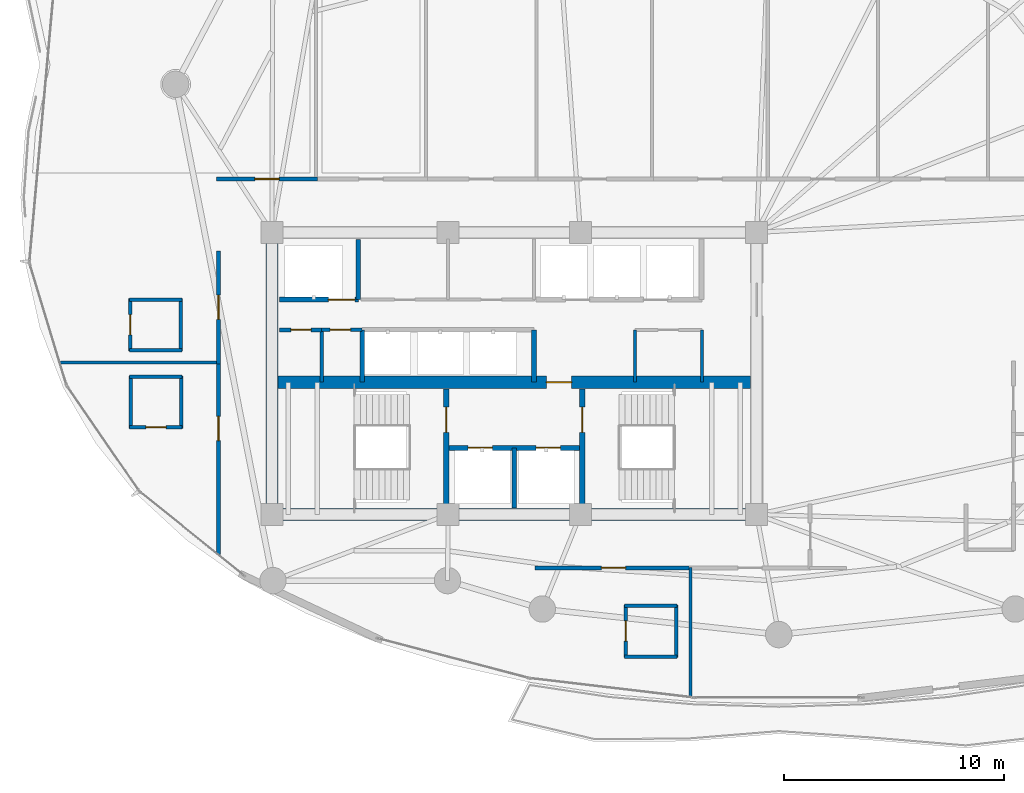
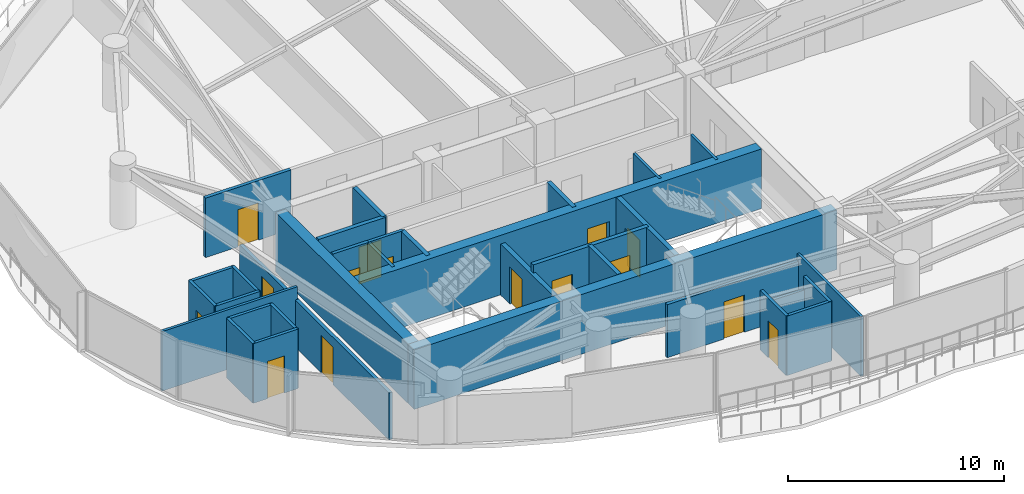
# One storey, part 26 of 33: 34 walls, 15 doors, 15 openings.
"""IFC4 building model written with IfcOpenShell, lengths in metres."""

from ifc_helpers import new_model, si_unit, direction, frame, frame_2d, origin, place, context, subcontext, project, spatial, rectangle, extrude, material, layer, layer_set, type_object, element, fill, save


model = new_model("IFC4")

# Units and contexts
model_context = context("Model", 3, precision=1e-05, world=origin(), true_north=direction((0.0, 1.0)))
body_context = subcontext(model_context, "Body", "Model", "MODEL_VIEW")
ifc_project = project(units=[si_unit("LENGTHUNIT", "METRE"), si_unit("AREAUNIT", "SQUARE_METRE"), si_unit("VOLUMEUNIT", "CUBIC_METRE"), si_unit("PLANEANGLEUNIT", "RADIAN"), si_unit("MASSUNIT", "GRAM", prefix="KILO")], contexts=[model_context])

# Site, building, storey
site_placement = place(None, origin())
site = spatial("IfcSite", under=ifc_project, at=site_placement, CompositionType="ELEMENT")
building_placement = place(site_placement, origin())
building = spatial("IfcBuilding", under=site, at=building_placement, Name="Kazevale Care Tower and Concert Hall", CompositionType="ELEMENT")
storey_placement = place(building_placement, frame((0.0, 0.0, 149.39990234375)))
storey = spatial("IfcBuildingStorey", under=building, at=storey_placement, Name="L39", CompositionType="ELEMENT", Elevation=149.39990234375)

# Walls
ifc_material_1 = material(Name="Acoustic Gypsum on Steel Stud", Category="steel")
ifc_layer_1 = layer(ifc_material_1, 0.139892578125)
ifc_layer_set_1 = layer_set([ifc_layer_1], Name="Acoustic Gypsum on Steel Stud")
wall_type_1 = type_object("IfcWallType", Name="Acoustic Care & Suite Partition 140", PredefinedType="PARTITIONING", material=ifc_layer_set_1)
for number, where, z_axis, x_axis, name in (
    (1, (38.47998046875, 29.6201171875, 0.0), (0.0, 0.0, 1.0), (0.0, 1.0, 0.0), "wall:L39:kb_ew"),
    (2, (41.52001953125, 29.6201171875, 0.0), (0.0, 0.0, 1.0), (0.0, 1.0, 0.0), "wall:L39:kb_ee"),
):
    element("IfcWall", number, at=place(storey_placement, frame(where, z_axis=z_axis, x_axis=x_axis)), inside=storey, type_object=wall_type_1, Name=name, PredefinedType="PARTITIONING", context=body_context, shape_type="SweptSolid", body=[
        extrude(rectangle(XDim=2.35986328125, YDim=0.139892578125, at=frame_2d((1.179931640625, 0.0))), origin(), (0.0, 0.0, 1.0), 3.360107421875),
    ])
wall_1_placement = place(storey_placement, frame((41.0, 21.205078125, 0.0), z_axis=(0.0, 0.0, 1.0), x_axis=(0.0, -1.0, 0.0)))
element("IfcWall", 3, at=wall_1_placement, inside=storey, type_object=wall_type_1, Name="wall:L39:auto_029", PredefinedType="PARTITIONING", context=body_context, shape_type="SweptSolid", body=[
    extrude(rectangle(XDim=5.88720703125, YDim=0.139892578125, at=frame_2d((2.943603515625, 0.0))), origin(), (0.0, 0.0, 1.0), 3.360107421875),
])
wall_2_placement = place(storey_placement, frame((12.380859375, 30.5, 0.0), z_axis=(0.0, 0.0, 1.0), x_axis=(1.0, 0.0, 0.0)))
element("IfcWall", 4, at=wall_2_placement, inside=storey, type_object=wall_type_1, Name="wall:L39:auto_030", PredefinedType="PARTITIONING", context=body_context, shape_type="SweptSolid", body=[
    extrude(rectangle(XDim=7.22412109375, YDim=0.139892578125, at=frame_2d((3.612060546875, 0.0))), origin(), (0.0, 0.0, 1.0), 3.360107421875),
])
ifc_material_2 = material(Name="Concrete C60", Category="concrete")
ifc_layer_2 = layer(ifc_material_2, 0.550048828125)
ifc_layer_set_2 = layer_set([ifc_layer_2], Name="Concrete C60")
wall_type_2 = type_object("IfcWallType", Name="Core Shear Wall 550 C60", PredefinedType="SHEAR", material=ifc_layer_set_2)
wall_3_placement = place(storey_placement, frame((21.72509765625, 23.60009765625, 0.0), z_axis=(0.0, 0.0, 1.0), x_axis=(1.0, 0.0, 0.0)))
element("IfcWall", 5, at=wall_3_placement, inside=storey, type_object=wall_type_2, Name="wall:L39:core:S", PredefinedType="SHEAR", context=body_context, shape_type="SweptSolid", body=[
    extrude(rectangle(XDim=22.5498046875, YDim=0.550048828125, at=frame_2d((11.27490234375, 0.0))), origin(), (0.0, 0.0, 1.0), 3.360107421875),
])
wall_4_placement = place(storey_placement, frame((22.0, 23.875, 0.0), z_axis=(0.0, 0.0, 1.0), x_axis=(0.0, 1.0, 0.0)))
element("IfcWall", 6, at=wall_4_placement, inside=storey, type_object=wall_type_2, Name="wall:L39:core:W", PredefinedType="SHEAR", context=body_context, shape_type="SweptSolid", body=[
    extrude(rectangle(XDim=12.25, YDim=0.550048828125, at=frame_2d((6.125, 0.0))), origin(), (0.0, 0.0, 1.0), 3.360107421875),
])

# Wall, opening, door
wall_5_placement = place(storey_placement, frame((22.27490234375, 29.60009765625, 0.0), z_axis=(0.0, 0.0, 1.0), x_axis=(1.0, 0.0, 0.0)))
wall_5 = element("IfcWall", 7, at=wall_5_placement, inside=storey, type_object=wall_type_2, Name="wall:L39:core:M", PredefinedType="SHEAR", context=body_context, shape_type="SweptSolid", body=[
    extrude(rectangle(XDim=21.4501953125, YDim=0.550048828125, at=frame_2d((10.72509765625, 0.0))), origin(), (0.0, 0.0, 1.0), 3.360107421875),
])
opening_1_placement = place(wall_5_placement, frame((12.175048828125, 0.0, 0.0)))
opening_1 = element("IfcOpeningElement", 8, at=opening_1_placement, cuts=wall_5, Name="Opening FD-90", PredefinedType="OPENING", context=body_context, shape_type="SweptSolid", body=[
    extrude(rectangle(XDim=1.14990234375, YDim=2.10009765625, at=frame_2d((0.574951171875, 1.050048828125))), frame((0.0, 0.284912109375, 0.0), z_axis=(0.0, -1.0, 0.0), x_axis=(1.0, 0.0, 0.0)), (0.0, 0.0, 1.0), 0.570068359375),
])
ifc_material_3 = material(Name="Steel ASTM A572 Gr 50", Category="steel")
door_type_1 = type_object("IfcDoorType", Name="Pressurized Stair & Lobby Fire Door 1150x2100", OperationType="NOTDEFINED", PredefinedType="DOOR", material=ifc_material_3)
door_1_placement = place(opening_1_placement, origin())
door_1 = element("IfcDoor", 9, at=door_1_placement, inside=storey, type_object=door_type_1, Name="door:L39:ff_to_pax", OperationType="SINGLE_SWING_LEFT", OverallHeight=2.10009765625, OverallWidth=1.14990234375, PredefinedType="DOOR", context=body_context, shape_type="SweptSolid", body=[
    extrude(rectangle(XDim=1.14990234375, YDim=2.10009765625, at=frame_2d((0.574951171875, 1.050048828125))), frame((0.0, 0.02490234375, 0.0), z_axis=(0.0, -1.0, 0.0), x_axis=(1.0, 0.0, 0.0)), (0.0, 0.0, 1.0), 0.050048828125),
])
fill(opening_1, door_1)

# Wall, openings, doors
ifc_material_4 = material(Name="Concrete C40", Category="concrete")
ifc_layer_3 = layer(ifc_material_4, 0.219970703125)
ifc_layer_set_3 = layer_set([ifc_layer_3], Name="Concrete C40")
wall_type_3 = type_object("IfcWallType", Name="Elevator Hoistway Shaft Wall 220", PredefinedType="SOLIDWALL", material=ifc_layer_set_3)
wall_6_placement = place(storey_placement, frame((29.919921875, 26.6201171875, 0.0), z_axis=(0.0, 0.0, 1.0), x_axis=(1.0, 0.0, 0.0)))
wall_6 = element("IfcWall", 10, at=wall_6_placement, inside=storey, type_object=wall_type_3, Name="wall:L39:c_ffl_n", PredefinedType="SOLIDWALL", context=body_context, shape_type="SweptSolid", body=[
    extrude(rectangle(XDim=6.16015625, YDim=0.219970703125, at=frame_2d((3.080078125, 0.0))), origin(), (0.0, 0.0, 1.0), 3.360107421875),
])
opening_2_placement = place(wall_6_placement, frame((0.989990234375, 0.0, 0.0)))
opening_2 = element("IfcOpeningElement", 11, at=opening_2_placement, cuts=wall_6, Name="Opening LD-FF", PredefinedType="OPENING", context=body_context, shape_type="SweptSolid", body=[
    extrude(rectangle(XDim=1.10009765625, YDim=2.10009765625, at=frame_2d((0.550048828125, 1.050048828125))), frame((0.0, 0.119873046875, 0.0), z_axis=(0.0, -1.0, 0.0), x_axis=(1.0, 0.0, 0.0)), (0.0, 0.0, 1.0), 0.239990234375),
])
opening_3_placement = place(wall_6_placement, frame((4.070068359375, 0.0, 0.0)))
opening_3 = element("IfcOpeningElement", 12, at=opening_3_placement, cuts=wall_6, Name="Opening LD-FF", PredefinedType="OPENING", context=body_context, shape_type="SweptSolid", body=[
    extrude(rectangle(XDim=1.10009765625, YDim=2.10009765625, at=frame_2d((0.550048828125, 1.050048828125))), frame((0.0, 0.119873046875, 0.0), z_axis=(0.0, -1.0, 0.0), x_axis=(1.0, 0.0, 0.0)), (0.0, 0.0, 1.0), 0.239990234375),
])
ifc_material_5 = material(Name="Stainless Steel 316", Category="steel")
door_type_2 = type_object("IfcDoorType", Name="Emergency Lift Sliding Landing Door 1100x2100", OperationType="NOTDEFINED", PredefinedType="DOOR", material=ifc_material_5)
door_2_placement = place(opening_2_placement, origin())
door_2 = element("IfcDoor", 13, at=door_2_placement, inside=storey, type_object=door_type_2, Name="door:L39:ld_ffl1", OperationType="SLIDING_TO_LEFT", OverallHeight=2.10009765625, OverallWidth=1.10009765625, PredefinedType="DOOR", context=body_context, shape_type="SweptSolid", body=[
    extrude(rectangle(XDim=1.10009765625, YDim=2.10009765625, at=frame_2d((0.550048828125, 1.050048828125))), frame((0.0, 0.02490234375, 0.0), z_axis=(0.0, -1.0, 0.0), x_axis=(1.0, 0.0, 0.0)), (0.0, 0.0, 1.0), 0.050048828125),
])
fill(opening_2, door_2)
door_3_placement = place(opening_3_placement, origin())
door_3 = element("IfcDoor", 14, at=door_3_placement, inside=storey, type_object=door_type_2, Name="door:L39:ld_ffl2", OperationType="SLIDING_TO_RIGHT", OverallHeight=2.10009765625, OverallWidth=1.10009765625, PredefinedType="DOOR", context=body_context, shape_type="SweptSolid", body=[
    extrude(rectangle(XDim=1.10009765625, YDim=2.10009765625, at=frame_2d((0.550048828125, 1.050048828125))), frame((0.0, 0.02490234375, 0.0), z_axis=(0.0, -1.0, 0.0), x_axis=(1.0, 0.0, 0.0)), (0.0, 0.0, 1.0), 0.050048828125),
])
fill(opening_3, door_3)

# Walls
wall_7_placement = place(storey_placement, frame((33.0, 23.89990234375, 0.0), z_axis=(0.0, 0.0, 1.0), x_axis=(0.0, 1.0, 0.0)))
element("IfcWall", 15, at=wall_7_placement, inside=storey, type_object=wall_type_3, Name="wall:L39:c_ffl_m", PredefinedType="SOLIDWALL", context=body_context, shape_type="SweptSolid", body=[
    extrude(rectangle(XDim=2.72021484375, YDim=0.219970703125, at=frame_2d((1.360107421875, 0.0))), origin(), (0.0, 0.0, 1.0), 3.360107421875),
])
wall_8_placement = place(storey_placement, frame((25.919921875, 33.35009765625, 0.0), z_axis=(0.0, 0.0, 1.0), x_axis=(0.0, 1.0, 0.0)))
element("IfcWall", 16, at=wall_8_placement, inside=storey, type_object=wall_type_3, Name="wall:L39:c_svl_e", PredefinedType="SOLIDWALL", context=body_context, shape_type="SweptSolid", body=[
    extrude(rectangle(XDim=2.72998046875, YDim=0.219970703125, at=frame_2d((1.364990234375, 0.0))), origin(), (0.0, 0.0, 1.0), 3.360107421875),
])

# Wall, opening, door
wall_9_placement = place(storey_placement, frame((22.35009765625, 33.35009765625, 0.0), z_axis=(0.0, 0.0, 1.0), x_axis=(1.0, 0.0, 0.0)))
wall_9 = element("IfcWall", 17, at=wall_9_placement, inside=storey, type_object=wall_type_3, Name="wall:L39:c_svl_s", PredefinedType="SOLIDWALL", context=body_context, shape_type="SweptSolid", body=[
    extrude(rectangle(XDim=3.56982421875, YDim=0.219970703125, at=frame_2d((1.784912109375, 0.0))), origin(), (0.0, 0.0, 1.0), 3.360107421875),
])
opening_4_placement = place(wall_9_placement, frame((2.212890625, 0.0, 0.0)))
opening_4 = element("IfcOpeningElement", 18, at=opening_4_placement, cuts=wall_9, Name="Opening LD-SV", PredefinedType="OPENING", context=body_context, shape_type="SweptSolid", body=[
    extrude(rectangle(XDim=1.199951171875, YDim=2.10009765625, at=frame_2d((0.60009765625, 1.050048828125))), frame((0.0, 0.119873046875, 0.0), z_axis=(0.0, -1.0, 0.0), x_axis=(1.0, 0.0, 0.0)), (0.0, 0.0, 1.0), 0.239990234375),
])
door_type_3 = type_object("IfcDoorType", Name="Service Lift Sliding Landing Door 1200x2100", OperationType="NOTDEFINED", PredefinedType="DOOR", material=ifc_material_5)
door_4_placement = place(opening_4_placement, origin())
door_4 = element("IfcDoor", 19, at=door_4_placement, inside=storey, type_object=door_type_3, Name="door:L39:ld_svl1", OperationType="SLIDING_TO_LEFT", OverallHeight=2.10009765625, OverallWidth=1.199951171875, PredefinedType="DOOR", context=body_context, shape_type="SweptSolid", body=[
    extrude(rectangle(XDim=1.199951171875, YDim=2.10009765625, at=frame_2d((0.60009765625, 1.050048828125))), frame((0.0, 0.02490234375, 0.0), z_axis=(0.0, -1.0, 0.0), x_axis=(1.0, 0.0, 0.0)), (0.0, 0.0, 1.0), 0.050048828125),
])
fill(opening_4, door_4)

# Walls
for number, where, z_axis, x_axis, name in (
    (20, (26.10009765625, 29.6201171875, 0.0), (0.0, 0.0, 1.0), (0.0, 1.0, 0.0), "wall:L39:c_ph_w"),
    (21, (33.89990234375, 29.6201171875, 0.0), (0.0, 0.0, 1.0), (0.0, 1.0, 0.0), "wall:L39:c_ph_e"),
):
    element("IfcWall", number, at=place(storey_placement, frame(where, z_axis=z_axis, x_axis=x_axis)), inside=storey, type_object=wall_type_3, Name=name, PredefinedType="SOLIDWALL", context=body_context, shape_type="SweptSolid", body=[
        extrude(rectangle(XDim=2.35986328125, YDim=0.219970703125, at=frame_2d((1.179931640625, 0.0))), origin(), (0.0, 0.0, 1.0), 3.360107421875),
    ])

# Wall, opening, door
ifc_material_6 = material(Name="Concrete C40 and Acoustic Gypsum", Category="concrete")
ifc_layer_4 = layer(ifc_material_6, 0.179931640625)
ifc_layer_set_4 = layer_set([ifc_layer_4], Name="Concrete C40 and Acoustic Gypsum")
wall_type_4 = type_object("IfcWallType", Name="Fire-Rated Corridor & Party Wall 180", PredefinedType="PARTITIONING", material=ifc_layer_set_4)
wall_10_placement = place(storey_placement, frame((22.35009765625, 31.97998046875, 0.0), z_axis=(0.0, 0.0, 1.0), x_axis=(1.0, 0.0, 0.0)))
wall_10 = element("IfcWall", 22, at=wall_10_placement, inside=storey, type_object=wall_type_4, Name="wall:L39:kb_wn0", PredefinedType="PARTITIONING", context=body_context, shape_type="SweptSolid", body=[
    extrude(rectangle(XDim=1.909912109375, YDim=0.179931640625, at=frame_2d((0.955078125, 0.0))), origin(), (0.0, 0.0, 1.0), 3.360107421875),
])
opening_5_placement = place(wall_10_placement, frame((0.514892578125, 0.0, 0.0)))
opening_5 = element("IfcOpeningElement", 23, at=opening_5_placement, cuts=wall_10, Name="Opening ID-900", PredefinedType="OPENING", context=body_context, shape_type="SweptSolid", body=[
    extrude(rectangle(XDim=0.919921875, YDim=2.10009765625, at=frame_2d((0.4599609375, 1.050048828125))), frame((0.0, 0.099853515625, 0.0), z_axis=(0.0, -1.0, 0.0), x_axis=(1.0, 0.0, 0.0)), (0.0, 0.0, 1.0), 0.199951171875),
])
ifc_material_7 = material(Name="Oak Timber Fire Leaf", Category="wood")
door_type_4 = type_object("IfcDoorType", Name="Bathroom & Service Door 920x2100", OperationType="NOTDEFINED", PredefinedType="DOOR", material=ifc_material_7)
door_5_placement = place(opening_5_placement, origin())
door_5 = element("IfcDoor", 24, at=door_5_placement, inside=storey, type_object=door_type_4, Name="door:L39:d_kbw1", OperationType="SINGLE_SWING_LEFT", OverallHeight=2.10009765625, OverallWidth=0.919921875, PredefinedType="DOOR", context=body_context, shape_type="SweptSolid", body=[
    extrude(rectangle(XDim=0.919921875, YDim=2.10009765625, at=frame_2d((0.4599609375, 1.050048828125))), frame((0.0, 0.02490234375, 0.0), z_axis=(0.0, -1.0, 0.0), x_axis=(1.0, 0.0, 0.0)), (0.0, 0.0, 1.0), 0.050048828125),
])
fill(opening_5, door_5)

wall_11_placement = place(storey_placement, frame((19.4951171875, 38.824951171875, 0.0), z_axis=(0.0, 0.0, 1.0), x_axis=(1.0, 0.0, 0.0)))
wall_11 = element("IfcWall", 25, at=wall_11_placement, inside=storey, type_object=wall_type_4, Name="wall:L39:auto_001", PredefinedType="PARTITIONING", context=body_context, shape_type="SweptSolid", body=[
    extrude(rectangle(XDim=4.56982421875, YDim=0.179931640625, at=frame_2d((2.284912109375, 0.0))), origin(), (0.0, 0.0, 1.0), 3.360107421875),
])
opening_6_placement = place(wall_11_placement, frame((1.735107421875, 0.0, 0.0)))
opening_6 = element("IfcOpeningElement", 26, at=opening_6_placement, cuts=wall_11, Name="Opening ID-1100", PredefinedType="OPENING", context=body_context, shape_type="SweptSolid", body=[
    extrude(rectangle(XDim=1.10009765625, YDim=2.10009765625, at=frame_2d((0.550048828125, 1.050048828125))), frame((0.0, 0.099853515625, 0.0), z_axis=(0.0, -1.0, 0.0), x_axis=(1.0, 0.0, 0.0)), (0.0, 0.0, 1.0), 0.199951171875),
])
door_type_5 = type_object("IfcDoorType", Name="Care Bedroom Accessible Door 1100x2100", OperationType="NOTDEFINED", PredefinedType="DOOR", material=ifc_material_7)
door_6_placement = place(opening_6_placement, origin())
door_6 = element("IfcDoor", 27, at=door_6_placement, inside=storey, type_object=door_type_5, Name="door:L39:ad_001", OperationType="SINGLE_SWING_LEFT", OverallHeight=2.10009765625, OverallWidth=1.10009765625, PredefinedType="DOOR", context=body_context, shape_type="SweptSolid", body=[
    extrude(rectangle(XDim=1.10009765625, YDim=2.10009765625, at=frame_2d((0.550048828125, 1.050048828125))), frame((0.0, 0.02490234375, 0.0), z_axis=(0.0, -1.0, 0.0), x_axis=(1.0, 0.0, 0.0)), (0.0, 0.0, 1.0), 0.050048828125),
])
fill(opening_6, door_6)

wall_12_placement = place(storey_placement, frame((41.06494140625, 21.175048828125, 0.0), z_axis=(0.0, 0.0, 1.0), x_axis=(-1.0, 0.0, 0.0)))
wall_12 = element("IfcWall", 28, at=wall_12_placement, inside=storey, type_object=wall_type_4, Name="wall:L39:auto_015", PredefinedType="PARTITIONING", context=body_context, shape_type="SweptSolid", body=[
    extrude(rectangle(XDim=7.1298828125, YDim=0.179931640625, at=frame_2d((3.56494140625, 0.0))), origin(), (0.0, 0.0, 1.0), 2.99609375),
])
opening_7_placement = place(wall_12_placement, frame((3.014892578125, 0.0, 0.0)))
opening_7 = element("IfcOpeningElement", 29, at=opening_7_placement, cuts=wall_12, Name="Opening ID-1100", PredefinedType="OPENING", context=body_context, shape_type="SweptSolid", body=[
    extrude(rectangle(XDim=1.10009765625, YDim=2.10009765625, at=frame_2d((0.550048828125, 1.050048828125))), frame((0.0, 0.099853515625, 0.0), z_axis=(0.0, -1.0, 0.0), x_axis=(1.0, 0.0, 0.0)), (0.0, 0.0, 1.0), 0.199951171875),
])
door_7_placement = place(opening_7_placement, origin())
door_7 = element("IfcDoor", 30, at=door_7_placement, inside=storey, type_object=door_type_5, Name="door:L39:ad_015", OperationType="SINGLE_SWING_LEFT", OverallHeight=2.10009765625, OverallWidth=1.10009765625, PredefinedType="DOOR", context=body_context, shape_type="SweptSolid", body=[
    extrude(rectangle(XDim=1.10009765625, YDim=2.10009765625, at=frame_2d((0.550048828125, 1.050048828125))), frame((0.0, 0.02490234375, 0.0), z_axis=(0.0, -1.0, 0.0), x_axis=(1.0, 0.0, 0.0)), (0.0, 0.0, 1.0), 0.050048828125),
])
fill(opening_7, door_7)

wall_13_placement = place(storey_placement, frame((19.574951171875, 21.774658203125, 0.0), z_axis=(0.0, 0.0, 1.0), x_axis=(0.0, 1.0, 0.0)))
wall_13 = element("IfcWall", 31, at=wall_13_placement, inside=storey, type_object=wall_type_4, Name="wall:L39:auto_017", PredefinedType="PARTITIONING", context=body_context, shape_type="SweptSolid", body=[
    extrude(rectangle(XDim=8.790283203125, YDim=0.179931640625, at=frame_2d((4.39501953125, 0.0))), origin(), (0.0, 0.0, 1.0), 2.656982421875),
])
opening_8_placement = place(wall_13_placement, frame((5.175048828125, 0.0, 0.0)))
opening_8 = element("IfcOpeningElement", 32, at=opening_8_placement, cuts=wall_13, Name="Opening ID-1100", PredefinedType="OPENING", context=body_context, shape_type="SweptSolid", body=[
    extrude(rectangle(XDim=1.10009765625, YDim=2.10009765625, at=frame_2d((0.550048828125, 1.050048828125))), frame((0.0, 0.099853515625, 0.0), z_axis=(0.0, -1.0, 0.0), x_axis=(1.0, 0.0, 0.0)), (0.0, 0.0, 1.0), 0.199951171875),
])
door_8_placement = place(opening_8_placement, origin())
door_8 = element("IfcDoor", 33, at=door_8_placement, inside=storey, type_object=door_type_5, Name="door:L39:ad_017", OperationType="SINGLE_SWING_LEFT", OverallHeight=2.10009765625, OverallWidth=1.10009765625, PredefinedType="DOOR", context=body_context, shape_type="SweptSolid", body=[
    extrude(rectangle(XDim=1.10009765625, YDim=2.10009765625, at=frame_2d((0.550048828125, 1.050048828125))), frame((0.0, 0.02490234375, 0.0), z_axis=(0.0, -1.0, 0.0), x_axis=(1.0, 0.0, 0.0)), (0.0, 0.0, 1.0), 0.050048828125),
])
fill(opening_8, door_8)

wall_14_placement = place(storey_placement, frame((19.574951171875, 30.43505859375, 0.0), z_axis=(0.0, 0.0, 1.0), x_axis=(0.0, 1.0, 0.0)))
wall_14 = element("IfcWall", 34, at=wall_14_placement, inside=storey, type_object=wall_type_4, Name="wall:L39:auto_018", PredefinedType="PARTITIONING", context=body_context, shape_type="SweptSolid", body=[
    extrude(rectangle(XDim=5.1298828125, YDim=0.179931640625, at=frame_2d((2.56494140625, 0.0))), origin(), (0.0, 0.0, 1.0), 2.656982421875),
])
opening_9_placement = place(wall_14_placement, frame((2.014892578125, 0.0, 0.0)))
opening_9 = element("IfcOpeningElement", 35, at=opening_9_placement, cuts=wall_14, Name="Opening ID-1100", PredefinedType="OPENING", context=body_context, shape_type="SweptSolid", body=[
    extrude(rectangle(XDim=1.10009765625, YDim=2.10009765625, at=frame_2d((0.550048828125, 1.050048828125))), frame((0.0, 0.099853515625, 0.0), z_axis=(0.0, -1.0, 0.0), x_axis=(1.0, 0.0, 0.0)), (0.0, 0.0, 1.0), 0.199951171875),
])
door_9_placement = place(opening_9_placement, origin())
door_9 = element("IfcDoor", 36, at=door_9_placement, inside=storey, type_object=door_type_5, Name="door:L39:ad_018", OperationType="SINGLE_SWING_LEFT", OverallHeight=2.10009765625, OverallWidth=1.10009765625, PredefinedType="DOOR", context=body_context, shape_type="SweptSolid", body=[
    extrude(rectangle(XDim=1.10009765625, YDim=2.10009765625, at=frame_2d((0.550048828125, 1.050048828125))), frame((0.0, 0.02490234375, 0.0), z_axis=(0.0, -1.0, 0.0), x_axis=(1.0, 0.0, 0.0)), (0.0, 0.0, 1.0), 0.050048828125),
])
fill(opening_9, door_9)

# Wall
ifc_layer_5 = layer(ifc_material_1, 0.159912109375)
ifc_layer_set_5 = layer_set([ifc_layer_5], Name="Acoustic Gypsum on Steel Stud")
wall_type_5 = type_object("IfcWallType", Name="Moisture-Resistant Bathroom Plumbing Wall 160", PredefinedType="PLUMBINGWALL", material=ifc_layer_set_5)
wall_15_placement = place(storey_placement, frame((24.260009765625, 29.6201171875, 0.0), z_axis=(0.0, 0.0, 1.0), x_axis=(0.0, 1.0, 0.0)))
element("IfcWall", 37, at=wall_15_placement, inside=storey, type_object=wall_type_5, Name="wall:L39:kb_we1", PredefinedType="PLUMBINGWALL", context=body_context, shape_type="SweptSolid", body=[
    extrude(rectangle(XDim=2.35986328125, YDim=0.159912109375, at=frame_2d((1.179931640625, 0.0))), origin(), (0.0, 0.0, 1.0), 3.360107421875),
])

# Wall, opening, door
wall_16_placement = place(storey_placement, frame((24.260009765625, 31.97998046875, 0.0), z_axis=(0.0, 0.0, 1.0), x_axis=(1.0, 0.0, 0.0)))
wall_16 = element("IfcWall", 38, at=wall_16_placement, inside=storey, type_object=wall_type_5, Name="wall:L39:kb_wn1", PredefinedType="PLUMBINGWALL", context=body_context, shape_type="SweptSolid", body=[
    extrude(rectangle(XDim=1.840087890625, YDim=0.159912109375, at=frame_2d((0.919921875, 0.0))), origin(), (0.0, 0.0, 1.0), 3.360107421875),
])
opening_10_placement = place(wall_16_placement, frame((0.387939453125, 0.0, 0.0)))
opening_10 = element("IfcOpeningElement", 39, at=opening_10_placement, cuts=wall_16, Name="Opening ID-900", PredefinedType="OPENING", context=body_context, shape_type="SweptSolid", body=[
    extrude(rectangle(XDim=0.919921875, YDim=2.10009765625, at=frame_2d((0.4599609375, 1.050048828125))), frame((0.0, 0.08984375, 0.0), z_axis=(0.0, -1.0, 0.0), x_axis=(1.0, 0.0, 0.0)), (0.0, 0.0, 1.0), 0.179931640625),
])
door_10_placement = place(opening_10_placement, origin())
door_10 = element("IfcDoor", 40, at=door_10_placement, inside=storey, type_object=door_type_4, Name="door:L39:d_kbw2", OperationType="SINGLE_SWING_RIGHT", OverallHeight=2.10009765625, OverallWidth=0.919921875, PredefinedType="DOOR", context=body_context, shape_type="SweptSolid", body=[
    extrude(rectangle(XDim=0.919921875, YDim=2.10009765625, at=frame_2d((0.4599609375, 1.050048828125))), frame((0.0, 0.02490234375, 0.0), z_axis=(0.0, -1.0, 0.0), x_axis=(1.0, 0.0, 0.0)), (0.0, 0.0, 1.0), 0.050048828125),
])
fill(opening_10, door_10)

# Walls
wall_17_placement = place(storey_placement, frame((38.010009765625, 17.153076171875, 0.0), z_axis=(0.0, 0.0, 1.0), x_axis=(1.0, 0.0, 0.0)))
element("IfcWall", 41, at=wall_17_placement, inside=storey, type_object=wall_type_5, Name="wall:L39:sb2a_ens_ws", PredefinedType="PLUMBINGWALL", context=body_context, shape_type="SweptSolid", body=[
    extrude(rectangle(XDim=2.3798828125, YDim=0.159912109375, at=frame_2d((1.18994140625, 0.0))), origin(), (0.0, 0.0, 1.0), 3.360107421875),
])
wall_18_placement = place(storey_placement, frame((38.010009765625, 19.452880859375, 0.0), z_axis=(0.0, 0.0, 1.0), x_axis=(1.0, 0.0, 0.0)))
element("IfcWall", 42, at=wall_18_placement, inside=storey, type_object=wall_type_5, Name="wall:L39:sb2a_ens_wn", PredefinedType="PLUMBINGWALL", context=body_context, shape_type="SweptSolid", body=[
    extrude(rectangle(XDim=2.3798828125, YDim=0.159912109375, at=frame_2d((1.18994140625, 0.0))), origin(), (0.0, 0.0, 1.0), 2.656982421875),
])

# Wall, opening, door
wall_19_placement = place(storey_placement, frame((38.050048828125, 17.113037109375, 0.0), z_axis=(0.0, 0.0, 1.0), x_axis=(0.0, 1.0, 0.0)))
wall_19 = element("IfcWall", 43, at=wall_19_placement, inside=storey, type_object=wall_type_5, Name="wall:L39:sb2a_ens_ww", PredefinedType="PLUMBINGWALL", context=body_context, shape_type="SweptSolid", body=[
    extrude(rectangle(XDim=2.3798828125, YDim=0.159912109375, at=frame_2d((1.18994140625, 0.0))), origin(), (0.0, 0.0, 1.0), 3.360107421875),
])
opening_11_placement = place(wall_19_placement, frame((0.739990234375, 0.0, 0.0)))
opening_11 = element("IfcOpeningElement", 44, at=opening_11_placement, cuts=wall_19, Name="Opening ID-900", PredefinedType="OPENING", context=body_context, shape_type="SweptSolid", body=[
    extrude(rectangle(XDim=0.919921875, YDim=2.10009765625, at=frame_2d((0.4599609375, 1.050048828125))), frame((0.0, 0.08984375, 0.0), z_axis=(0.0, -1.0, 0.0), x_axis=(1.0, 0.0, 0.0)), (0.0, 0.0, 1.0), 0.179931640625),
])
door_11_placement = place(opening_11_placement, origin())
door_11 = element("IfcDoor", 45, at=door_11_placement, inside=storey, type_object=door_type_4, Name="door:L39:sb2a_ens_d", OperationType="SINGLE_SWING_RIGHT", OverallHeight=2.10009765625, OverallWidth=0.919921875, PredefinedType="DOOR", context=body_context, shape_type="SweptSolid", body=[
    extrude(rectangle(XDim=0.919921875, YDim=2.10009765625, at=frame_2d((0.4599609375, 1.050048828125))), frame((0.0, 0.02490234375, 0.0), z_axis=(0.0, -1.0, 0.0), x_axis=(1.0, 0.0, 0.0)), (0.0, 0.0, 1.0), 0.050048828125),
])
fill(opening_11, door_11)

# Wall
wall_20_placement = place(storey_placement, frame((40.35009765625, 17.113037109375, 0.0), z_axis=(0.0, 0.0, 1.0), x_axis=(0.0, 1.0, 0.0)))
element("IfcWall", 46, at=wall_20_placement, inside=storey, type_object=wall_type_5, Name="wall:L39:sb2a_ens_we", PredefinedType="PLUMBINGWALL", context=body_context, shape_type="SweptSolid", body=[
    extrude(rectangle(XDim=2.3798828125, YDim=0.159912109375, at=frame_2d((1.18994140625, 0.0))), origin(), (0.0, 0.0, 1.0), 3.360107421875),
])

# Wall, opening, door
wall_21_placement = place(storey_placement, frame((15.544921875, 27.550048828125, 0.0), z_axis=(0.0, 0.0, 1.0), x_axis=(1.0, 0.0, 0.0)))
wall_21 = element("IfcWall", 47, at=wall_21_placement, inside=storey, type_object=wall_type_5, Name="wall:L39:wb2_ens_ws", PredefinedType="PLUMBINGWALL", context=body_context, shape_type="SweptSolid", body=[
    extrude(rectangle(XDim=2.380126953125, YDim=0.159912109375, at=frame_2d((1.18994140625, 0.0))), origin(), (0.0, 0.0, 1.0), 3.360107421875),
])
opening_12_placement = place(wall_21_placement, frame((0.739990234375, 0.0, 0.0)))
opening_12 = element("IfcOpeningElement", 48, at=opening_12_placement, cuts=wall_21, Name="Opening ID-900", PredefinedType="OPENING", context=body_context, shape_type="SweptSolid", body=[
    extrude(rectangle(XDim=0.919921875, YDim=2.10009765625, at=frame_2d((0.4599609375, 1.050048828125))), frame((0.0, 0.08984375, 0.0), z_axis=(0.0, -1.0, 0.0), x_axis=(1.0, 0.0, 0.0)), (0.0, 0.0, 1.0), 0.179931640625),
])
door_12_placement = place(opening_12_placement, origin())
door_12 = element("IfcDoor", 49, at=door_12_placement, inside=storey, type_object=door_type_4, Name="door:L39:wb2_ens_d", OperationType="SINGLE_SWING_RIGHT", OverallHeight=2.10009765625, OverallWidth=0.919921875, PredefinedType="DOOR", context=body_context, shape_type="SweptSolid", body=[
    extrude(rectangle(XDim=0.919921875, YDim=2.10009765625, at=frame_2d((0.4599609375, 1.050048828125))), frame((0.0, 0.02490234375, 0.0), z_axis=(0.0, -1.0, 0.0), x_axis=(1.0, 0.0, 0.0)), (0.0, 0.0, 1.0), 0.050048828125),
])
fill(opening_12, door_12)

# Walls
wall_22_placement = place(storey_placement, frame((15.544921875, 29.85009765625, 0.0), z_axis=(0.0, 0.0, 1.0), x_axis=(1.0, 0.0, 0.0)))
element("IfcWall", 50, at=wall_22_placement, inside=storey, type_object=wall_type_5, Name="wall:L39:wb2_ens_wn", PredefinedType="PLUMBINGWALL", context=body_context, shape_type="SweptSolid", body=[
    extrude(rectangle(XDim=2.380126953125, YDim=0.159912109375, at=frame_2d((1.18994140625, 0.0))), origin(), (0.0, 0.0, 1.0), 3.360107421875),
])
for number, where, z_axis, x_axis, name in (
    (51, (15.5849609375, 27.510009765625, 0.0), (0.0, 0.0, 1.0), (0.0, 1.0, 0.0), "wall:L39:wb2_ens_ww"),
    (52, (17.885009765625, 27.510009765625, 0.0), (0.0, 0.0, 1.0), (0.0, 1.0, 0.0), "wall:L39:wb2_ens_we"),
):
    element("IfcWall", number, at=place(storey_placement, frame(where, z_axis=z_axis, x_axis=x_axis)), inside=storey, type_object=wall_type_5, Name=name, PredefinedType="PLUMBINGWALL", context=body_context, shape_type="SweptSolid", body=[
        extrude(rectangle(XDim=2.3798828125, YDim=0.159912109375, at=frame_2d((1.18994140625, 0.0))), origin(), (0.0, 0.0, 1.0), 3.360107421875),
    ])
for number, where, z_axis, x_axis, name in (
    (53, (15.534912109375, 31.050048828125, 0.0), (0.0, 0.0, 1.0), (1.0, 0.0, 0.0), "wall:L39:wb3_ens_ws"),
    (54, (15.534912109375, 33.35009765625, 0.0), (0.0, 0.0, 1.0), (1.0, 0.0, 0.0), "wall:L39:wb3_ens_wn"),
):
    element("IfcWall", number, at=place(storey_placement, frame(where, z_axis=z_axis, x_axis=x_axis)), inside=storey, type_object=wall_type_5, Name=name, PredefinedType="PLUMBINGWALL", context=body_context, shape_type="SweptSolid", body=[
        extrude(rectangle(XDim=2.380126953125, YDim=0.159912109375, at=frame_2d((1.18994140625, 0.0))), origin(), (0.0, 0.0, 1.0), 3.360107421875),
    ])

# Wall, opening, door
wall_23_placement = place(storey_placement, frame((15.574951171875, 31.010009765625, 0.0), z_axis=(0.0, 0.0, 1.0), x_axis=(0.0, 1.0, 0.0)))
wall_23 = element("IfcWall", 55, at=wall_23_placement, inside=storey, type_object=wall_type_5, Name="wall:L39:wb3_ens_ww", PredefinedType="PLUMBINGWALL", context=body_context, shape_type="SweptSolid", body=[
    extrude(rectangle(XDim=2.3798828125, YDim=0.159912109375, at=frame_2d((1.18994140625, 0.0))), origin(), (0.0, 0.0, 1.0), 3.360107421875),
])
opening_13_placement = place(wall_23_placement, frame((0.739990234375, 0.0, 0.0)))
opening_13 = element("IfcOpeningElement", 56, at=opening_13_placement, cuts=wall_23, Name="Opening ID-900", PredefinedType="OPENING", context=body_context, shape_type="SweptSolid", body=[
    extrude(rectangle(XDim=0.919921875, YDim=2.10009765625, at=frame_2d((0.4599609375, 1.050048828125))), frame((0.0, 0.08984375, 0.0), z_axis=(0.0, -1.0, 0.0), x_axis=(1.0, 0.0, 0.0)), (0.0, 0.0, 1.0), 0.179931640625),
])
door_13_placement = place(opening_13_placement, origin())
door_13 = element("IfcDoor", 57, at=door_13_placement, inside=storey, type_object=door_type_4, Name="door:L39:wb3_ens_d", OperationType="SINGLE_SWING_LEFT", OverallHeight=2.10009765625, OverallWidth=0.919921875, PredefinedType="DOOR", context=body_context, shape_type="SweptSolid", body=[
    extrude(rectangle(XDim=0.919921875, YDim=2.10009765625, at=frame_2d((0.4599609375, 1.050048828125))), frame((0.0, 0.02490234375, 0.0), z_axis=(0.0, -1.0, 0.0), x_axis=(1.0, 0.0, 0.0)), (0.0, 0.0, 1.0), 0.050048828125),
])
fill(opening_13, door_13)

# Wall
wall_24_placement = place(storey_placement, frame((17.875, 31.010009765625, 0.0), z_axis=(0.0, 0.0, 1.0), x_axis=(0.0, 1.0, 0.0)))
element("IfcWall", 58, at=wall_24_placement, inside=storey, type_object=wall_type_5, Name="wall:L39:wb3_ens_we", PredefinedType="PLUMBINGWALL", context=body_context, shape_type="SweptSolid", body=[
    extrude(rectangle(XDim=2.3798828125, YDim=0.159912109375, at=frame_2d((1.18994140625, 0.0))), origin(), (0.0, 0.0, 1.0), 3.360107421875),
])

# Wall, opening, door
ifc_layer_6 = layer(ifc_material_4, 0.25)
ifc_layer_set_6 = layer_set([ifc_layer_6], Name="Concrete C40")
wall_type_6 = type_object("IfcWallType", Name="Pressurized Stair Shaft Wall 250", PredefinedType="SOLIDWALL", material=ifc_layer_set_6)
wall_25_placement = place(storey_placement, frame((29.919921875, 23.89990234375, 0.0), z_axis=(0.0, 0.0, 1.0), x_axis=(0.0, 1.0, 0.0)))
wall_25 = element("IfcWall", 59, at=wall_25_placement, inside=storey, type_object=wall_type_6, Name="wall:L39:c_st1_e", PredefinedType="SOLIDWALL", context=body_context, shape_type="SweptSolid", body=[
    extrude(rectangle(XDim=5.400146484375, YDim=0.25, at=frame_2d((2.7001953125, 0.0))), origin(), (0.0, 0.0, 1.0), 2.89013671875),
])
opening_14_placement = place(wall_25_placement, frame((3.4208984375, 0.0, 0.0)))
opening_14 = element("IfcOpeningElement", 60, at=opening_14_placement, cuts=wall_25, Name="Opening FD-90", PredefinedType="OPENING", context=body_context, shape_type="SweptSolid", body=[
    extrude(rectangle(XDim=1.14990234375, YDim=2.10009765625, at=frame_2d((0.574951171875, 1.050048828125))), frame((0.0, 0.135009765625, 0.0), z_axis=(0.0, -1.0, 0.0), x_axis=(1.0, 0.0, 0.0)), (0.0, 0.0, 1.0), 0.27001953125),
])
door_14_placement = place(opening_14_placement, origin())
door_14 = element("IfcDoor", 61, at=door_14_placement, inside=storey, type_object=door_type_1, Name="door:L39:st1", OperationType="SINGLE_SWING_RIGHT", OverallHeight=2.10009765625, OverallWidth=1.14990234375, PredefinedType="DOOR", context=body_context, shape_type="SweptSolid", body=[
    extrude(rectangle(XDim=1.14990234375, YDim=2.10009765625, at=frame_2d((0.574951171875, 1.050048828125))), frame((0.0, 0.02490234375, 0.0), z_axis=(0.0, -1.0, 0.0), x_axis=(1.0, 0.0, 0.0)), (0.0, 0.0, 1.0), 0.050048828125),
])
fill(opening_14, door_14)

wall_26_placement = place(storey_placement, frame((36.080078125, 23.89990234375, 0.0), z_axis=(0.0, 0.0, 1.0), x_axis=(0.0, 1.0, 0.0)))
wall_26 = element("IfcWall", 62, at=wall_26_placement, inside=storey, type_object=wall_type_6, Name="wall:L39:c_st2_w", PredefinedType="SOLIDWALL", context=body_context, shape_type="SweptSolid", body=[
    extrude(rectangle(XDim=5.400146484375, YDim=0.25, at=frame_2d((2.7001953125, 0.0))), origin(), (0.0, 0.0, 1.0), 3.360107421875),
])
opening_15_placement = place(wall_26_placement, frame((3.4208984375, 0.0, 0.0)))
opening_15 = element("IfcOpeningElement", 63, at=opening_15_placement, cuts=wall_26, Name="Opening FD-90", PredefinedType="OPENING", context=body_context, shape_type="SweptSolid", body=[
    extrude(rectangle(XDim=1.14990234375, YDim=2.10009765625, at=frame_2d((0.574951171875, 1.050048828125))), frame((0.0, 0.135009765625, 0.0), z_axis=(0.0, -1.0, 0.0), x_axis=(1.0, 0.0, 0.0)), (0.0, 0.0, 1.0), 0.27001953125),
])
door_15_placement = place(opening_15_placement, origin())
door_15 = element("IfcDoor", 64, at=door_15_placement, inside=storey, type_object=door_type_1, Name="door:L39:st2", OperationType="SINGLE_SWING_LEFT", OverallHeight=2.10009765625, OverallWidth=1.14990234375, PredefinedType="DOOR", context=body_context, shape_type="SweptSolid", body=[
    extrude(rectangle(XDim=1.14990234375, YDim=2.10009765625, at=frame_2d((0.574951171875, 1.050048828125))), frame((0.0, 0.02490234375, 0.0), z_axis=(0.0, -1.0, 0.0), x_axis=(1.0, 0.0, 0.0)), (0.0, 0.0, 1.0), 0.050048828125),
])
fill(opening_15, door_15)

save(model, "model.ifc")
